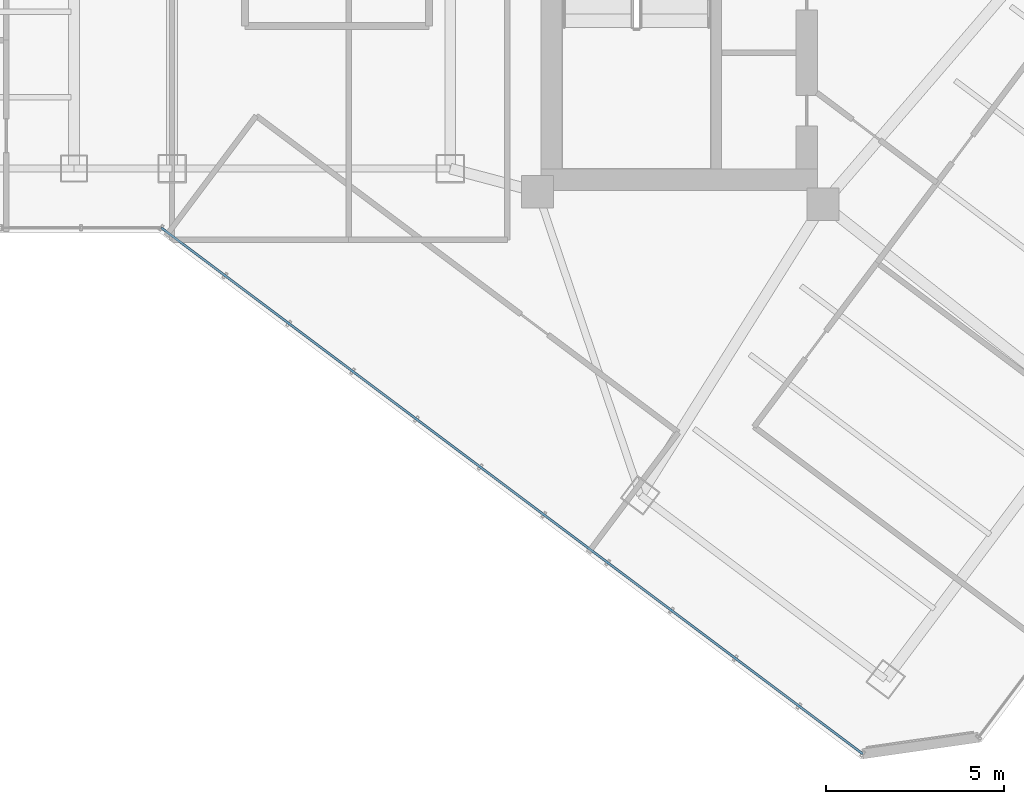
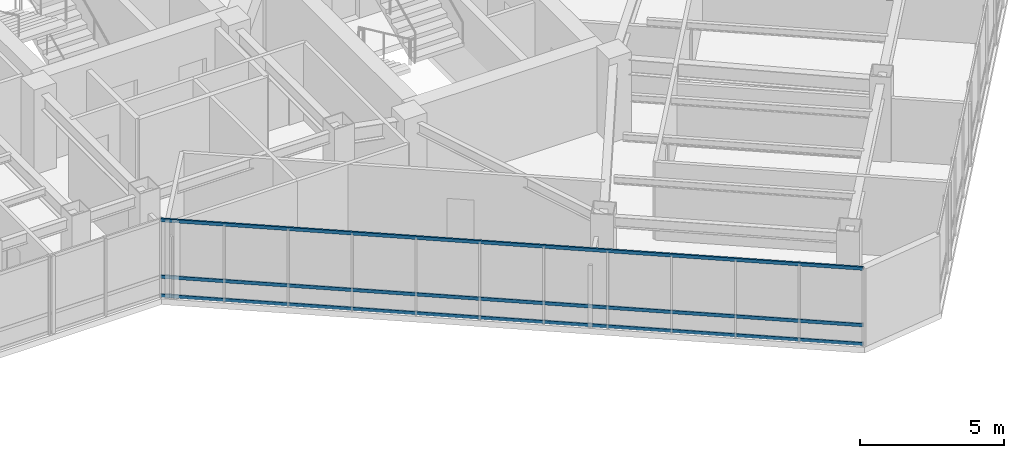
# One storey, part 4 of 29: 3 members, 1 element without a shape of its own.
"""IFC4 building model written with IfcOpenShell, lengths in metres."""

from ifc_helpers import new_model, si_unit, direction, frame, origin, origin_2d, place, context, subcontext, project, spatial, hollow_rectangle, extrude, material, layer, layer_set, material_profile, profile_set, type_object, element, aggregate, save


model = new_model("IFC4")

# Units and contexts
model_context = context("Model", 3, precision=1e-05, world=origin(), true_north=direction((0.0, 1.0)))
body_context = subcontext(model_context, "Body", "Model", "MODEL_VIEW")
ifc_project = project(units=[si_unit("LENGTHUNIT", "METRE"), si_unit("AREAUNIT", "SQUARE_METRE"), si_unit("VOLUMEUNIT", "CUBIC_METRE"), si_unit("PLANEANGLEUNIT", "RADIAN"), si_unit("MASSUNIT", "GRAM", prefix="KILO")], contexts=[model_context])

# Site, building, storey
site_placement = place(None, origin())
site = spatial("IfcSite", under=ifc_project, at=site_placement, CompositionType="ELEMENT")
building_placement = place(site_placement, origin())
building = spatial("IfcBuilding", under=site, at=building_placement, Name="Hatsunagi Terrace Concourse", CompositionType="ELEMENT")
storey_placement = place(building_placement, frame((0.0, 0.0, 178.050048828125)))
storey = spatial("IfcBuildingStorey", under=building, at=storey_placement, Name="L47", CompositionType="ELEMENT", Elevation=178.050048828125)

# Curtain wall, members
ifc_material_1 = material(Name="Anodised Aluminium Alloy 6063-T5", Category="aluminium")
ifc_layer = layer(ifc_material_1, 0.199951171875)
ifc_layer_set = layer_set([ifc_layer], Name="OfficeZone1_CW03")
curtain_wall_type = type_object("IfcCurtainWallType", Name="OfficeZone1_CW03", PredefinedType="NOTDEFINED", material=ifc_layer_set)
curtain_wall_placement = place(storey_placement, origin())
curtain_wall = element("IfcCurtainWall", 1, at=curtain_wall_placement, inside=storey, type_object=curtain_wall_type, Name="Unitised Curtain Wall CW-03 CW-L47-05", PredefinedType="NOTDEFINED")
ifc_material_2 = material(Name="Anodised Aluminium Alloy 6063-T5", Category="aluminium")
ifc_material_profile = material_profile(ifc_material_2, hollow_rectangle(XDim=0.06494140625, YDim=0.139892578125, WallThickness=0.00390625, at=origin_2d()), Name="ALU-TRN-140x65x4")
ifc_profile_set = profile_set([ifc_material_profile], Name="Anodised Aluminium Alloy 6063-T5")
member_type = type_object("IfcMemberType", Name="CurtainWallTransom_140x65", PredefinedType="USERDEFINED", material=ifc_profile_set)
member_1_placement = place(storey_placement, frame((44.91796875, 8.787109375, 0.050048828125), z_axis=(-0.800004765927, 0.599993645378, 0.0), x_axis=(-0.599993645378, -0.800004765927, 0.0)))
member_1 = element("IfcMember", 2, at=member_1_placement, type_object=member_type, Name="Curtain Wall Transom TRN-02", ObjectType="TRANSOM", PredefinedType="USERDEFINED", context=body_context, shape_type="SweptSolid", body=[
    extrude(hollow_rectangle(XDim=0.06494140625, YDim=0.139892578125, WallThickness=0.00390625, at=origin_2d()), origin(), (0.0, 0.0, 1.0), 24.58837890625),
])
member_2_placement = place(storey_placement, frame((44.91796875, 8.787109375, 0.849853515625), z_axis=(-0.800004765927, 0.599993645378, 0.0), x_axis=(-0.599993645378, -0.800004765927, 0.0)))
member_2 = element("IfcMember", 3, at=member_2_placement, type_object=member_type, Name="Curtain Wall Transom TRN-02", ObjectType="TRANSOM", PredefinedType="USERDEFINED", context=body_context, shape_type="SweptSolid", body=[
    extrude(hollow_rectangle(XDim=0.06494140625, YDim=0.139892578125, WallThickness=0.00390625, at=origin_2d()), origin(), (0.0, 0.0, 1.0), 24.58837890625),
])
member_3_placement = place(storey_placement, frame((44.91796875, 8.787109375, 3.25), z_axis=(-0.800004765927, 0.599993645378, 0.0), x_axis=(-0.599993645378, -0.800004765927, 0.0)))
member_3 = element("IfcMember", 4, at=member_3_placement, type_object=member_type, Name="Curtain Wall Transom TRN-02", ObjectType="TRANSOM", PredefinedType="USERDEFINED", context=body_context, shape_type="SweptSolid", body=[
    extrude(hollow_rectangle(XDim=0.06494140625, YDim=0.139892578125, WallThickness=0.00390625, at=origin_2d()), origin(), (0.0, 0.0, 1.0), 24.58837890625),
])
aggregate(curtain_wall, [member_1, member_2, member_3])

save(model, "model.ifc")
